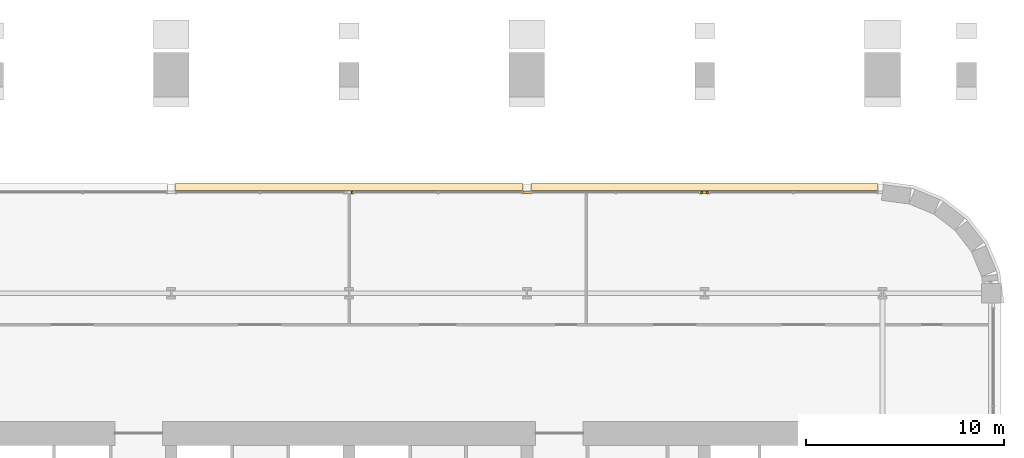
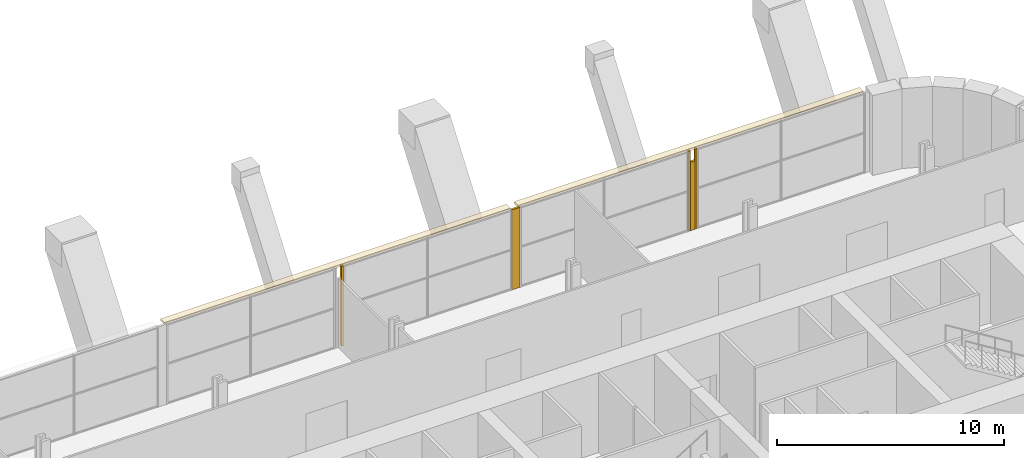
# One storey, part 23 of 24: 7 coverings.
"""IFC4 building model written with IfcOpenShell, lengths in metres."""

import ifcopenshell
import ifcopenshell.guid

model = None  # the IFC model being written
_history = None  # IfcOwnerHistory: only IFC2X3 demands one
_inside = {}  # id of a spatial element -> (the spatial element, [elements in it])
_under = {}  # id of a project, library or spatial element -> (it, [spatial elements below it])
_declared = {}  # id of a project -> (the project, [libraries it declares])
_typed = {}  # id of a type object -> (the type object, [elements of that type])
_made_of = {}  # id of a material, layer set ... -> (it, [elements and type objects made of it])


def new_model(schema):
    """Start an empty IFC model of exactly this schema.

    Asked for "IFC4X3", IfcOpenShell would pick the latest addendum, in which some entities
    have other attributes; the version numbers below select the first issue.
    IFC2X3 requires an IfcOwnerHistory on every rooted entity: one is made here for all.
    """
    global model, _history
    if schema == "IFC4X3":
        model = ifcopenshell.file(schema_version=(4, 3, 0, 0))
    else:
        model = ifcopenshell.file(schema=schema)
    _inside.clear()
    _under.clear()
    _declared.clear()
    _typed.clear()
    _made_of.clear()
    _history = None
    if model.schema == "IFC2X3":
        org = make("IfcOrganization", Name="unknown")
        user = make(
            "IfcPersonAndOrganization",
            ThePerson=make("IfcPerson", FamilyName="unknown"),
            TheOrganization=org,
        )
        app = make(
            "IfcApplication",
            ApplicationDeveloper=org,
            Version="unknown",
            ApplicationFullName="unknown",
            ApplicationIdentifier="unknown",
        )
        _history = make(
            "IfcOwnerHistory",
            OwningUser=user,
            OwningApplication=app,
            ChangeAction="ADDED",
            CreationDate=0,
        )
    return model


def make(cls, **values):
    """One entity of the class cls with the attributes given. An attribute that is None is left unset."""
    return model.create_entity(
        cls, **{name: value for name, value in values.items() if value is not None}
    )


def rooted(cls, **values):
    """An entity with a GlobalId (a new one), such as an element, a storey or a relation."""
    return make(cls, GlobalId=ifcopenshell.guid.new(), OwnerHistory=_history, **values)


def si_unit(unit_type, name, prefix=None):
    """IfcSIUnit, for example si_unit("LENGTHUNIT", "METRE", prefix="MILLI")."""
    return make("IfcSIUnit", UnitType=unit_type, Prefix=prefix, Name=name)


def assignment(units):
    """IfcUnitAssignment: the units of a project."""
    return None if units is None else make("IfcUnitAssignment", Units=units)


def point(xyz):
    """IfcCartesianPoint."""
    return None if xyz is None else make("IfcCartesianPoint", Coordinates=xyz)


def direction(xyz):
    """IfcDirection."""
    return None if xyz is None else make("IfcDirection", DirectionRatios=xyz)


def frame(location, z_axis=None, x_axis=None):
    """IfcAxis2Placement3D, a coordinate frame: its origin and axes. An axis left out is left unset."""
    return make(
        "IfcAxis2Placement3D",
        Location=point(location),
        Axis=direction(z_axis),
        RefDirection=direction(x_axis),
    )


def frame_2d(location, x_axis=None):
    """IfcAxis2Placement2D, a coordinate frame in the plane: its origin and x axis."""
    return make(
        "IfcAxis2Placement2D", Location=point(location), RefDirection=direction(x_axis)
    )


def origin():
    """The frame at (0, 0, 0) with its axes left unset."""
    return frame((0.0, 0.0, 0.0))


def origin_2d():
    """The frame at (0, 0) in the plane with its x axis left unset."""
    return frame_2d((0.0, 0.0))


def place(relative_to, where):
    """IfcLocalPlacement: puts the frame where relative to a parent placement (None: the world)."""
    return make(
        "IfcLocalPlacement", PlacementRelTo=relative_to, RelativePlacement=where
    )


def context(
    kind, dimensions, precision=None, world=None, true_north=None, identifier=None
):
    """IfcGeometricRepresentationContext, for example the 3D "Model" context."""
    return make(
        "IfcGeometricRepresentationContext",
        ContextIdentifier=identifier,
        ContextType=kind,
        CoordinateSpaceDimension=dimensions,
        Precision=precision,
        WorldCoordinateSystem=world,
        TrueNorth=true_north,
    )


def subcontext(parent, identifier, kind, view, scale=None):
    """IfcGeometricRepresentationSubContext, for example "Body" below "Model"."""
    return make(
        "IfcGeometricRepresentationSubContext",
        ContextIdentifier=identifier,
        ContextType=kind,
        ParentContext=parent,
        TargetScale=scale,
        TargetView=view,
    )


def project(units=None, contexts=None):
    """IfcProject with its units and contexts."""
    return rooted(
        "IfcProject",
        Name="project",
        RepresentationContexts=contexts,
        UnitsInContext=assignment(units),
    )


def spatial(cls, under=None, at=None, **own):
    """A site, building, storey or space (cls), placed at a placement, below another one or the project."""
    s = rooted(cls, ObjectPlacement=at, **own)
    if under is not None:
        _under.setdefault(under.id(), (under, []))[1].append(s)
    return s


def polyline(points):
    """IfcPolyline through the points."""
    return make("IfcPolyline", Points=[point(p) for p in points])


def profile(cls, at=None, kind="AREA", **sizes):
    """A parametric profile (cls). Its sizes go by their IFC names, for example OverallWidth=200.0."""
    return make(cls, ProfileType=kind, Position=at, **sizes)


def rectangle(**sizes):
    """IfcRectangleProfileDef."""
    return profile("IfcRectangleProfileDef", **sizes)


def outline(outer, holes=None, kind="AREA"):
    """IfcArbitraryClosedProfileDef: a profile drawn as a closed curve; with holes, ...WithVoids."""
    if holes is None:
        return make("IfcArbitraryClosedProfileDef", ProfileType=kind, OuterCurve=outer)
    return make(
        "IfcArbitraryProfileDefWithVoids",
        ProfileType=kind,
        OuterCurve=outer,
        InnerCurves=holes,
    )


def extrude(swept, where, along, depth):
    """IfcExtrudedAreaSolid: the profile swept, set in the frame where, extruded along a direction by depth."""
    return make(
        "IfcExtrudedAreaSolid",
        SweptArea=swept,
        Position=where,
        ExtrudedDirection=direction(along),
        Depth=depth,
    )


def shape(context_of_items, identifier, shape_type, items):
    """IfcShapeRepresentation: the items that make up one representation, for example the "Body"."""
    return make(
        "IfcShapeRepresentation",
        ContextOfItems=context_of_items,
        RepresentationIdentifier=identifier,
        RepresentationType=shape_type,
        Items=items,
    )


def material(Name=None, Category=None):
    """IfcMaterial."""
    return make("IfcMaterial", Name=Name, Category=Category)


def layer(
    of_material, thickness, ventilated=None, Name=None, Category=None, Priority=None
):
    """IfcMaterialLayer: one layer of a wall or slab, of a material (None: an air gap)."""
    return make(
        "IfcMaterialLayer",
        Material=of_material,
        LayerThickness=thickness,
        IsVentilated=ventilated,
        Name=Name,
        Category=Category,
        Priority=Priority,
    )


def layer_set(layers, Name=None):
    """IfcMaterialLayerSet."""
    return make("IfcMaterialLayerSet", MaterialLayers=layers, LayerSetName=Name)


def made_of(thing, what):
    """Note that an element or type object is made of a material, layer set ...; save() writes the relation."""
    if what is not None:
        _made_of.setdefault(what.id(), (what, []))[1].append(thing)
    return thing


def type_object(cls, material=None, **own):
    """A type object (cls), such as IfcWallType, which elements share."""
    return made_of(rooted(cls, **own), material)


def element(
    cls,
    number,
    at=None,
    inside=None,
    cuts=None,
    type_object=None,
    material=None,
    context=None,
    identifier="Body",
    shape_type=None,
    held_by="IfcProductDefinitionShape",
    body=None,
    shapes=None,
    **own,
):
    """One element of the class cls, such as IfcWall. Its Tag is "e" and its number.

    at: its placement. inside: the storey or other place that contains it. cuts: it is an
    opening in that element (IfcRelVoidsElement). A single representation is given by context,
    identifier, shape_type and body (its items); several are given by shapes. held_by: the class
    of the entity that holds the representations. save() writes the other relations.
    """
    e = rooted(cls, Tag="e%d" % number, ObjectPlacement=at, **own)
    if body is not None:
        shapes = [shape(context, identifier, shape_type, body)]
    if shapes is not None:
        e.Representation = make(held_by, Representations=shapes)
    if inside is not None:
        _inside.setdefault(inside.id(), (inside, []))[1].append(e)
    if cuts is not None:
        rooted(
            "IfcRelVoidsElement", RelatingBuildingElement=cuts, RelatedOpeningElement=e
        )
    if type_object is not None:
        _typed.setdefault(type_object.id(), (type_object, []))[1].append(e)
    return made_of(e, material)


def aggregate(whole, parts):
    """IfcRelAggregates: a whole, such as a stair, and the parts it consists of."""
    return rooted("IfcRelAggregates", RelatingObject=whole, RelatedObjects=parts)


def save(model, path):
    """Write the relations noted so far, then the file.

    IfcRelAggregates (storeys below a building ...), IfcRelContainedInSpatialStructure (elements
    in a storey), IfcRelDefinesByType, IfcRelAssociatesMaterial and IfcRelDeclares: one each for
    every whole, place, type object, material and project.
    """
    for whole, parts in _under.values():
        aggregate(whole, parts)
    for where, things in _inside.values():
        rooted(
            "IfcRelContainedInSpatialStructure",
            RelatedElements=things,
            RelatingStructure=where,
        )
    for kind, things in _typed.values():
        rooted("IfcRelDefinesByType", RelatedObjects=things, RelatingType=kind)
    for what, things in _made_of.values():
        rooted("IfcRelAssociatesMaterial", RelatedObjects=things, RelatingMaterial=what)
    for by, libraries in _declared.values():
        rooted("IfcRelDeclares", RelatingContext=by, RelatedDefinitions=libraries)
    model.write(path)


model = new_model("IFC4")

# Units and contexts
model_context = context("Model", 3, precision=1e-05, world=origin(), true_north=direction((0.0, 1.0)))
body_context = subcontext(model_context, "Body", "Model", "MODEL_VIEW")
ifc_project = project(units=[si_unit("LENGTHUNIT", "METRE"), si_unit("AREAUNIT", "SQUARE_METRE"), si_unit("VOLUMEUNIT", "CUBIC_METRE"), si_unit("PLANEANGLEUNIT", "RADIAN"), si_unit("MASSUNIT", "GRAM", prefix="KILO")], contexts=[model_context])

# Site, building, storey
site_placement = place(None, origin())
site = spatial("IfcSite", under=ifc_project, at=site_placement, CompositionType="ELEMENT")
building_placement = place(site_placement, origin())
building = spatial("IfcBuilding", under=site, at=building_placement, Name="Zellij Exchange Tower", CompositionType="ELEMENT")
storey_placement = place(building_placement, frame((0.0, 0.0, 48.0)))
storey = spatial("IfcBuildingStorey", under=building, at=storey_placement, Name="L08", CompositionType="ELEMENT", Elevation=48.0)

# Coverings
ifc_material_1 = material(Name="Limestone cladding", Category="masonry")
ifc_layer_1 = layer(ifc_material_1, 0.1201171875)
ifc_layer_set_1 = layer_set([ifc_layer_1], Name="Limestone cladding")
covering_type_1 = type_object("IfcCoveringType", Name="ENV-CV18 Glazing closer 120", PredefinedType="CLADDING", material=ifc_layer_set_1)
covering_1_placement = place(storey_placement, frame((9.0, 9.60009765625, 0.0), z_axis=(0.0, 0.0, 1.0), x_axis=(-1.0, 0.0, 0.0)))
element("IfcCovering", 1, at=covering_1_placement, inside=storey, type_object=covering_type_1, Name="Glazing closer", PredefinedType="CLADDING", context=body_context, shape_type="SweptSolid", body=[
    extrude(rectangle(XDim=0.39990234375, YDim=0.1201171875, at=origin_2d()), origin(), (0.0, 0.0, 1.0), 4.300048828125),
])
covering_2_placement = place(storey_placement, frame((18.0, 9.60009765625, 0.0), z_axis=(0.0, 0.0, 1.0), x_axis=(-1.0, 0.0, 0.0)))
element("IfcCovering", 2, at=covering_2_placement, inside=storey, type_object=covering_type_1, Name="Glazing closer", PredefinedType="CLADDING", context=body_context, shape_type="SweptSolid", body=[
    extrude(rectangle(XDim=0.22900390625, YDim=0.1201171875, at=origin_2d()), origin(), (0.0, 0.0, 1.0), 3.677734375),
])
for number, where, z_axis, x_axis, name in (
    (3, (18.16455078125, 9.60009765625, 0.0), (0.0, 0.0, 1.0), (-1.0, 0.0, 0.0), "Glazing closer"),
    (4, (17.83544921875, 9.60009765625, 0.0), (0.0, 0.0, 1.0), (-1.0, 0.0, 0.0), "Glazing closer"),
    (5, (0.16455078125, 9.60009765625, 0.0), (0.0, 0.0, 1.0), (-1.0, 0.0, 0.0), "Glazing closer"),
):
    element("IfcCovering", number, at=place(storey_placement, frame(where, z_axis=z_axis, x_axis=x_axis)), inside=storey, type_object=covering_type_1, Name=name, PredefinedType="CLADDING", context=body_context, shape_type="SweptSolid", body=[
        extrude(rectangle(XDim=0.10009765625, YDim=0.1201171875, at=origin_2d()), origin(), (0.0, 0.0, 1.0), 4.300048828125),
    ])
ifc_material_2 = material(Name="Limestone sunshade", Category="masonry")
ifc_layer_2 = layer(ifc_material_2, 0.1201171875)
ifc_layer_set_2 = layer_set([ifc_layer_2], Name="Limestone sunshade")
covering_type_2 = type_object("IfcCoveringType", Name="ENV-SC2 Stone sunshade 120", PredefinedType="USERDEFINED", material=ifc_layer_set_2)
covering_3_placement = place(storey_placement, frame((0.0, 0.0, 4.179931640625)))
element("IfcCovering", 6, at=covering_3_placement, inside=storey, type_object=covering_type_2, Name="Stone sunshade", ObjectType="SUNSHADE", PredefinedType="USERDEFINED", context=body_context, shape_type="SweptSolid", body=[
    extrude(outline(polyline([(26.773681640625, 9.699951171875), (9.199951171875, 9.699951171875), (9.199951171875, 10.050048828125), (26.773681640625, 10.050048828125), (26.773681640625, 9.699951171875)])), origin(), (0.0, 0.0, 1.0), 0.1201171875),
])
covering_4_placement = place(storey_placement, frame((0.0, 0.0, 4.179931640625)))
element("IfcCovering", 7, at=covering_4_placement, inside=storey, type_object=covering_type_2, Name="Stone sunshade", ObjectType="SUNSHADE", PredefinedType="USERDEFINED", context=body_context, shape_type="SweptSolid", body=[
    extrude(outline(polyline([(8.800048828125, 9.699951171875), (-8.800048828125, 9.699951171875), (-8.800048828125, 10.050048828125), (8.800048828125, 10.050048828125), (8.800048828125, 9.699951171875)])), origin(), (0.0, 0.0, 1.0), 0.1201171875),
])

save(model, "model.ifc")
